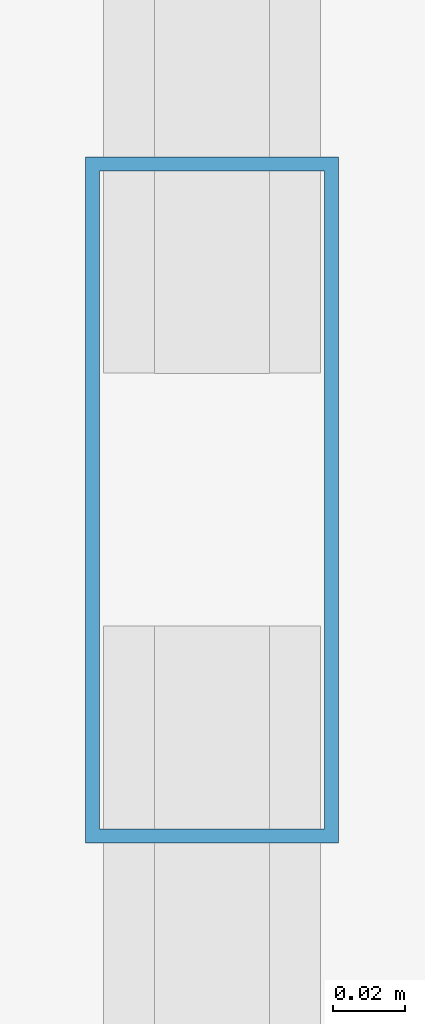
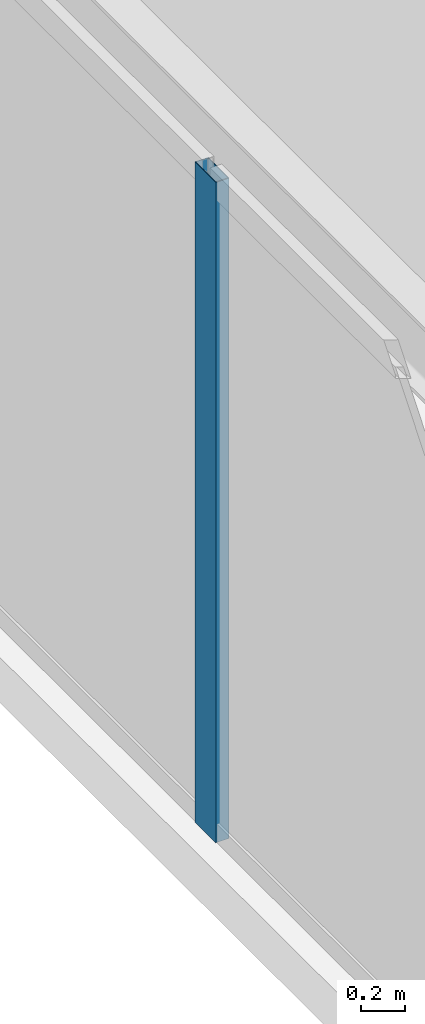
# One storey, part 10 of 29: 1 member, 1 element without a shape of its own.
"""IFC4 building model written with IfcOpenShell, lengths in metres."""

from ifc_helpers import new_model, si_unit, direction, frame, origin, origin_2d, place, context, subcontext, project, spatial, hollow_rectangle, extrude, source, transform, mapped, material, layer, layer_set, material_profile, profile_set, type_object, type_shapes, element, aggregate, save


model = new_model("IFC4")

# Units and contexts
model_context = context("Model", 3, precision=1e-05, world=origin(), true_north=direction((0.0, 1.0)))
body_context = subcontext(model_context, "Body", "Model", "MODEL_VIEW")
ifc_project = project(units=[si_unit("LENGTHUNIT", "METRE"), si_unit("AREAUNIT", "SQUARE_METRE"), si_unit("VOLUMEUNIT", "CUBIC_METRE"), si_unit("PLANEANGLEUNIT", "RADIAN"), si_unit("MASSUNIT", "GRAM", prefix="KILO")], contexts=[model_context])

# Site, building, storey
site_placement = place(None, origin())
site = spatial("IfcSite", under=ifc_project, at=site_placement, CompositionType="ELEMENT")
building_placement = place(site_placement, origin())
building = spatial("IfcBuilding", under=site, at=building_placement, Name="Varnel Quay Broadcast Tower", CompositionType="ELEMENT")
storey_placement = place(building_placement, frame((0.0, 0.0, 74.39990234375)))
storey = spatial("IfcBuildingStorey", under=building, at=storey_placement, Name="L17", CompositionType="ELEMENT", Elevation=74.39990234375)

# Curtain wall, member
ifc_material = material(Name="Anodised Bronze Aluminium 6063-T6", Category="aluminium")
ifc_layer = layer(ifc_material, 0.18994140625, Name="Anodised Bronze Aluminium 6063-T6")
ifc_layer_set = layer_set([ifc_layer], Name="Anodised Bronze Aluminium 6063-T6")
curtain_wall_type = type_object("IfcCurtainWallType", Name="CW_LowerTower", PredefinedType="NOTDEFINED", material=ifc_layer_set)
curtain_wall_placement = place(storey_placement, origin())
curtain_wall = element("IfcCurtainWall", 1, at=curtain_wall_placement, inside=storey, type_object=curtain_wall_type, Name="L17 West Unitised Curtain Wall", PredefinedType="NOTDEFINED")
ifc_material_profile = material_profile(ifc_material, hollow_rectangle(XDim=0.070068359375, YDim=0.18994140625, WallThickness=0.00390625, at=origin_2d()), Name="ALU70X190X4")
ifc_profile_set = profile_set([ifc_material_profile], Name="Anodised Bronze Aluminium 6063-T6")
member_type = type_object("IfcMemberType", Name="Mull_CWS-02", PredefinedType="MULLION", material=ifc_profile_set)
shared_shape = source(origin(), body_context, "Body", "SweptSolid", [
    extrude(hollow_rectangle(XDim=0.070068359375, YDim=0.18994140625, WallThickness=0.00390625, at=origin_2d()), origin(), (0.0, 0.0, 1.0), 3.650146484375),
])
type_shapes(member_type, [shared_shape])
member_placement = place(storey_placement, frame((2.14990234375, 30.39990234375, 0.0), z_axis=(0.0, 0.0, 1.0), x_axis=(-1.0, 0.0, 0.0)))
member = element("IfcMember", 2, at=member_placement, type_object=member_type, Name="CWS-02 mullion 3", PredefinedType="MULLION", context=body_context, shape_type="MappedRepresentation", body=[
    mapped(shared_shape, transform((0.0, 0.0, 0.0), x_axis=(1.0, 0.0, 0.0), y_axis=(0.0, 1.0, 0.0), z_axis=(0.0, 0.0, 1.0), scale=1.0)),
])
aggregate(curtain_wall, [member])

save(model, "model.ifc")
